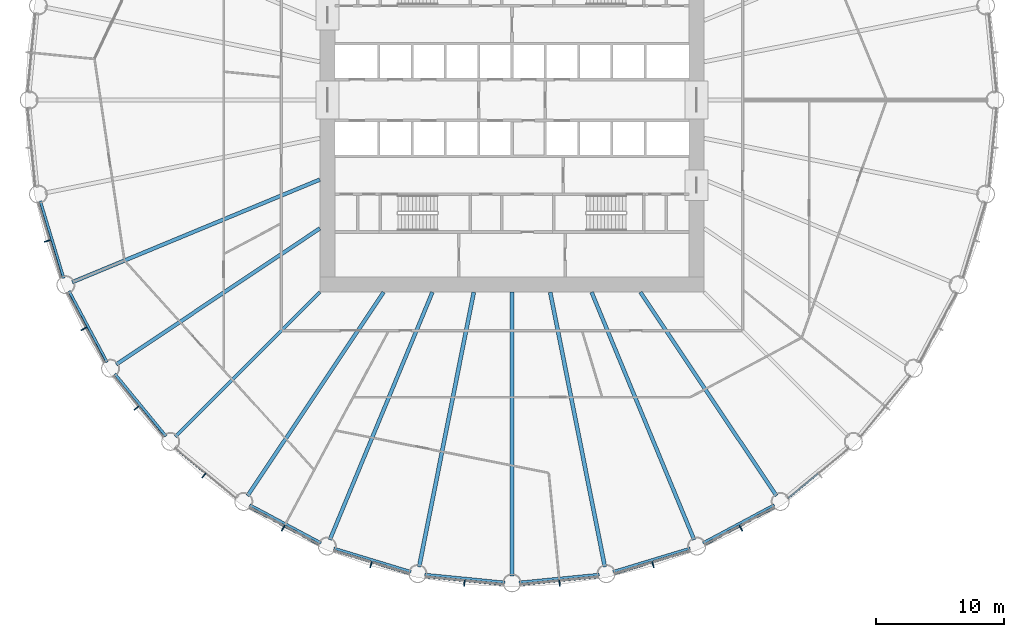
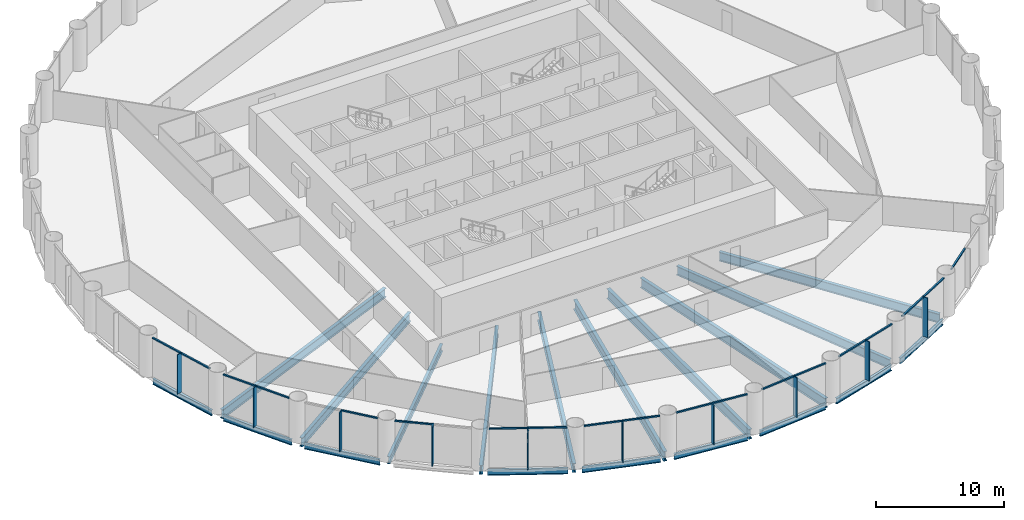
# One storey, part 2 of 15: 29 members, 19 beams, 11 elements without a shape of their own.
"""IFC4 building model written with IfcOpenShell, lengths in metres."""

from ifc_helpers import new_model, si_unit, direction, frame, origin, origin_2d, place, context, subcontext, project, spatial, rectangle, i_section, extrude, material, material_profile, profile_set, type_object, element, aggregate, save


model = new_model("IFC4")

# Units and contexts
model_context = context("Model", 3, precision=1e-05, world=origin(), true_north=direction((0.0, 1.0)))
body_context = subcontext(model_context, "Body", "Model", "MODEL_VIEW")
ifc_project = project(units=[si_unit("LENGTHUNIT", "METRE"), si_unit("AREAUNIT", "SQUARE_METRE"), si_unit("VOLUMEUNIT", "CUBIC_METRE"), si_unit("PLANEANGLEUNIT", "RADIAN"), si_unit("MASSUNIT", "GRAM", prefix="KILO")], contexts=[model_context])

# Site, building, storey
site_placement = place(None, origin())
site = spatial("IfcSite", under=ifc_project, at=site_placement, CompositionType="ELEMENT")
building_placement = place(site_placement, origin())
building = spatial("IfcBuilding", under=site, at=building_placement, Name="Corvane Civic Tower", CompositionType="ELEMENT")
storey_placement = place(building_placement, frame((0.0, 0.0, 57.0)))
storey = spatial("IfcBuildingStorey", under=building, at=storey_placement, Name="L12", CompositionType="ELEMENT", Elevation=57.0)

# Beams
ifc_material_1 = material(Name="Steel ASTM A992 Gr 50", Category="steel")
ifc_material_profile_1 = material_profile(ifc_material_1, i_section(OverallWidth=0.209228515625, OverallDepth=0.533447265625, WebThickness=0.01025390625, FlangeThickness=0.015625, at=origin_2d()), Name="W21X62")
ifc_profile_set_1 = profile_set([ifc_material_profile_1], Name="Steel ASTM A992 Gr 50")
beam_type_1 = type_object("IfcBeamType", Name="EDGE BEAM W21X62", PredefinedType="BEAM", material=ifc_profile_set_1)
for number, where, z_axis, x_axis, name in (
    (1, (20.4599609375, -31.605712890625, -0.566650390625), (-0.881916367906, -0.471405897311, 0.0), (0.471405897311, -0.881916367906, 0.0), "BM-L12-E14"),
    (2, (13.90087890625, -34.989990234375, -0.566650390625), (-0.956943740748, -0.290273452184, 0.0), (0.290273452184, -0.956943740748, 0.0), "BM-L12-E15"),
):
    element("IfcBeam", number, at=place(storey_placement, frame(where, z_axis=z_axis, x_axis=x_axis)), inside=storey, type_object=beam_type_1, Name=name, PredefinedType="BEAM", context=body_context, shape_type="SweptSolid", body=[
        extrude(i_section(OverallWidth=0.209228515625, OverallDepth=0.533447265625, WebThickness=0.01025390625, FlangeThickness=0.015625, at=origin_2d()), origin(), (0.0, 0.0, 1.0), 6.290283203125),
    ])
for number, where, z_axis, x_axis, name in (
    (3, (6.8076171875, -37.029541015625, -0.566650390625), (-0.995186682089, -0.097997284622, 0.0), (0.097997284622, -0.995186682089, 0.0), "BM-L12-E16"),
    (4, (-0.54736328125, -37.64599609375, -0.566650390625), (-0.995186682089, 0.097997284622, 0.0), (-0.097997284622, -0.995186682089, 0.0), "BM-L12-E17"),
):
    element("IfcBeam", number, at=place(storey_placement, frame(where, z_axis=z_axis, x_axis=x_axis)), inside=storey, type_object=beam_type_1, Name=name, PredefinedType="BEAM", context=body_context, shape_type="SweptSolid", body=[
        extrude(i_section(OverallWidth=0.209228515625, OverallDepth=0.533447265625, WebThickness=0.01025390625, FlangeThickness=0.015625, at=origin_2d()), origin(), (0.0, 0.0, 1.0), 6.29052734375),
    ])
for number, where, z_axis, x_axis, name in (
    (5, (-7.88134765625, -36.81591796875, -0.566650390625), (-0.956943740748, 0.290273452184, 0.0), (-0.290273452184, -0.956943740748, 0.0), "BM-L12-E18"),
    (6, (-14.912353515625, -34.571044921875, -0.566650390625), (-0.881916367906, 0.471405897311, 0.0), (-0.471405897311, -0.881916367906, 0.0), "BM-L12-E19"),
):
    element("IfcBeam", number, at=place(storey_placement, frame(where, z_axis=z_axis, x_axis=x_axis)), inside=storey, type_object=beam_type_1, Name=name, PredefinedType="BEAM", context=body_context, shape_type="SweptSolid", body=[
        extrude(i_section(OverallWidth=0.209228515625, OverallDepth=0.533447265625, WebThickness=0.01025390625, FlangeThickness=0.015625, at=origin_2d()), origin(), (0.0, 0.0, 1.0), 6.290283203125),
    ])
beam_1_placement = place(storey_placement, frame((-27.0068359375, -26.23291015625, -0.566650390625), z_axis=(-0.634386787141, 0.773015785286, 0.0), x_axis=(-0.773015785286, -0.634386787141, 0.0)))
element("IfcBeam", 7, at=beam_1_placement, inside=storey, type_object=beam_type_1, Name="BM-L12-E21", PredefinedType="BEAM", context=body_context, shape_type="SweptSolid", body=[
    extrude(i_section(OverallWidth=0.209228515625, OverallDepth=0.533447265625, WebThickness=0.01025390625, FlangeThickness=0.015625, at=origin_2d()), origin(), (0.0, 0.0, 1.0), 6.290771484375),
])
for number, where, z_axis, x_axis, name in (
    (8, (-31.605712890625, -20.4599609375, -0.566650390625), (-0.471405897311, 0.881916367906, 0.0), (-0.881916367906, -0.471405897311, 0.0), "BM-L12-E22"),
    (9, (-34.989990234375, -13.90087890625, -0.566650390625), (-0.290273452184, 0.956943740748, 0.0), (-0.956943740748, -0.290273452184, 0.0), "BM-L12-E23"),
):
    element("IfcBeam", number, at=place(storey_placement, frame(where, z_axis=z_axis, x_axis=x_axis)), inside=storey, type_object=beam_type_1, Name=name, PredefinedType="BEAM", context=body_context, shape_type="SweptSolid", body=[
        extrude(i_section(OverallWidth=0.209228515625, OverallDepth=0.533447265625, WebThickness=0.01025390625, FlangeThickness=0.015625, at=origin_2d()), origin(), (0.0, 0.0, 1.0), 6.290283203125),
    ])
ifc_material_2 = material(Name="Steel ASTM A992 Gr 50", Category="steel")
ifc_material_profile_2 = material_profile(ifc_material_2, i_section(OverallWidth=0.256591796875, OverallDepth=0.693359375, WebThickness=0.014404296875, FlangeThickness=0.023681640625, at=origin_2d()), Name="W27X114")
ifc_profile_set_2 = profile_set([ifc_material_profile_2], Name="Steel ASTM A992 Gr 50")
beam_type_2 = type_object("IfcBeamType", Name="FLOOR GIRDER W27X114", PredefinedType="BEAM", material=ifc_profile_set_2)
beam_2_placement = place(storey_placement, frame((-15.0, -15.0, -0.646728515625), z_axis=(-0.707106781187, -0.707106781187, 0.0), x_axis=(0.707106781187, -0.707106781187, 0.0)))
element("IfcBeam", 10, at=beam_2_placement, inside=storey, type_object=beam_type_2, Name="BM-L12-G21", PredefinedType="BEAM", context=body_context, shape_type="SweptSolid", body=[
    extrude(i_section(OverallWidth=0.256591796875, OverallDepth=0.693359375, WebThickness=0.014404296875, FlangeThickness=0.023681640625, at=origin_2d()), origin(), (0.0, 0.0, 1.0), 15.936767578125),
])
ifc_material_3 = material(Name="Steel ASTM A992 Gr 50", Category="steel")
ifc_material_profile_3 = material_profile(ifc_material_3, i_section(OverallWidth=0.2919921875, OverallDepth=0.8583984375, WebThickness=0.01708984375, FlangeThickness=0.031005859375, at=origin_2d()), Name="W33X169")
ifc_profile_set_3 = profile_set([ifc_material_profile_3], Name="Steel ASTM A992 Gr 50")
beam_type_3 = type_object("IfcBeamType", Name="FLOOR GIRDER W33X169", PredefinedType="BEAM", material=ifc_profile_set_3)
beam_3_placement = place(storey_placement, frame((10.022705078125, -15.0, -0.729248046875), z_axis=(0.555566681385, -0.831471985418, 0.0), x_axis=(0.831471985418, 0.555566681385, 0.0)))
element("IfcBeam", 11, at=beam_3_placement, inside=storey, type_object=beam_type_3, Name="BM-L12-G14", PredefinedType="BEAM", context=body_context, shape_type="SweptSolid", body=[
    extrude(i_section(OverallWidth=0.2919921875, OverallDepth=0.8583984375, WebThickness=0.01708984375, FlangeThickness=0.031005859375, at=origin_2d()), origin(), (0.0, 0.0, 1.0), 19.109619140625),
])
for number, where, z_axis, x_axis, name in (
    (12, (6.213134765625, -15.0, -0.729248046875), (0.382692360381, -0.923875834355, 0.0), (0.923875834355, 0.382692360381, 0.0), "BM-L12-G15"),
    (13, (-6.213134765625, -15.0, -0.729248046875), (-0.382692360381, -0.923875834355, 0.0), (0.923875834355, -0.382692360381, 0.0), "BM-L12-G19"),
):
    element("IfcBeam", number, at=place(storey_placement, frame(where, z_axis=z_axis, x_axis=x_axis)), inside=storey, type_object=beam_type_3, Name=name, PredefinedType="BEAM", context=body_context, shape_type="SweptSolid", body=[
        extrude(i_section(OverallWidth=0.2919921875, OverallDepth=0.8583984375, WebThickness=0.01708984375, FlangeThickness=0.031005859375, at=origin_2d()), origin(), (0.0, 0.0, 1.0), 20.9140625),
    ])
for number, where, z_axis, x_axis, name in (
    (14, (-10.022705078125, -15.0, -0.729248046875), (-0.555566681385, -0.831471985418, 0.0), (0.831471985418, -0.555566681385, 0.0), "BM-L12-G20"),
    (15, (-15.0, -10.022705078125, -0.729248046875), (-0.831471985418, -0.555566681385, 0.0), (0.555566681385, -0.831471985418, 0.0), "BM-L12-G22"),
):
    element("IfcBeam", number, at=place(storey_placement, frame(where, z_axis=z_axis, x_axis=x_axis)), inside=storey, type_object=beam_type_3, Name=name, PredefinedType="BEAM", context=body_context, shape_type="SweptSolid", body=[
        extrude(i_section(OverallWidth=0.2919921875, OverallDepth=0.8583984375, WebThickness=0.01708984375, FlangeThickness=0.031005859375, at=origin_2d()), origin(), (0.0, 0.0, 1.0), 19.109619140625),
    ])
beam_4_placement = place(storey_placement, frame((-15.0, -6.213134765625, -0.729248046875), z_axis=(-0.923875834355, -0.382692360381, 0.0), x_axis=(0.382692360381, -0.923875834355, 0.0)))
element("IfcBeam", 16, at=beam_4_placement, inside=storey, type_object=beam_type_3, Name="BM-L12-G23", PredefinedType="BEAM", context=body_context, shape_type="SweptSolid", body=[
    extrude(i_section(OverallWidth=0.2919921875, OverallDepth=0.8583984375, WebThickness=0.01708984375, FlangeThickness=0.031005859375, at=origin_2d()), origin(), (0.0, 0.0, 1.0), 20.9140625),
])
ifc_material_4 = material(Name="Steel ASTM A992 Gr 50", Category="steel")
ifc_material_profile_4 = material_profile(ifc_material_4, i_section(OverallWidth=0.307373046875, OverallDepth=0.927001953125, WebThickness=0.01953125, FlangeThickness=0.031982421875, at=origin_2d()), Name="W36X194")
ifc_profile_set_4 = profile_set([ifc_material_profile_4], Name="Steel ASTM A992 Gr 50")
beam_type_4 = type_object("IfcBeamType", Name="FLOOR GIRDER W36X194", PredefinedType="BEAM", material=ifc_profile_set_4)
beam_5_placement = place(storey_placement, frame((2.983642578125, -15.0, -0.763671875), z_axis=(0.195089219638, -0.980785499679, 0.0), x_axis=(0.980785499679, 0.195089219638, 0.0)))
element("IfcBeam", 17, at=beam_5_placement, inside=storey, type_object=beam_type_4, Name="BM-L12-G16", PredefinedType="BEAM", context=body_context, shape_type="SweptSolid", body=[
    extrude(i_section(OverallWidth=0.307373046875, OverallDepth=0.927001953125, WebThickness=0.01953125, FlangeThickness=0.031982421875, at=origin_2d()), origin(), (0.0, 0.0, 1.0), 21.856201171875),
])
beam_6_placement = place(storey_placement, frame((0.0, -15.0, -0.763671875), z_axis=(0.0, -1.0, 0.0), x_axis=(1.0, 0.0, 0.0)))
element("IfcBeam", 18, at=beam_6_placement, inside=storey, type_object=beam_type_4, Name="BM-L12-G17", PredefinedType="BEAM", context=body_context, shape_type="SweptSolid", body=[
    extrude(i_section(OverallWidth=0.307373046875, OverallDepth=0.927001953125, WebThickness=0.01953125, FlangeThickness=0.031982421875, at=origin_2d()), origin(), (0.0, 0.0, 1.0), 22.14990234375),
])
beam_7_placement = place(storey_placement, frame((-2.983642578125, -15.0, -0.763671875), z_axis=(-0.195089219638, -0.980785499679, 0.0), x_axis=(0.980785499679, -0.195089219638, 0.0)))
element("IfcBeam", 19, at=beam_7_placement, inside=storey, type_object=beam_type_4, Name="BM-L12-G18", PredefinedType="BEAM", context=body_context, shape_type="SweptSolid", body=[
    extrude(i_section(OverallWidth=0.307373046875, OverallDepth=0.927001953125, WebThickness=0.01953125, FlangeThickness=0.031982421875, at=origin_2d()), origin(), (0.0, 0.0, 1.0), 21.856201171875),
])

# Curtain wall, member
ifc_material_5 = material(Name="Anodised aluminium bronze", Category="aluminium")
curtain_wall_type = type_object("IfcCurtainWallType", Name="TOWER CW-T1 STICK CURTAIN WALL", PredefinedType="NOTDEFINED", material=ifc_material_5)
curtain_wall_1_placement = place(storey_placement, origin())
curtain_wall_1 = element("IfcCurtainWall", 20, at=curtain_wall_1_placement, inside=storey, type_object=curtain_wall_type, Name="Curtain wall CW-T1 L12 bay 13", PredefinedType="NOTDEFINED")
ifc_material_6 = material(Name="Anodised aluminium bronze", Category="aluminium")
ifc_material_profile_5 = material_profile(ifc_material_6, rectangle(XDim=0.139892578125, YDim=0.1201171875, at=origin_2d()), Name="TOWER CW-T1 TRANSOM 140x120")
ifc_profile_set_5 = profile_set([ifc_material_profile_5], Name="Anodised aluminium bronze")
member_type_1 = type_object("IfcMemberType", Name="TOWER CW-T1 TRANSOM 140x120", PredefinedType="USERDEFINED", material=ifc_profile_set_5)
member_1_placement = place(storey_placement, frame((23.88427734375, -29.166015625, 3.68994140625), z_axis=(-0.773041738279, -0.634355161466, 0.0), x_axis=(0.634355161466, -0.773041738279, 0.0)))
member_1 = element("IfcMember", 21, at=member_1_placement, type_object=member_type_1, Name="Transom CW-T1 L12 13.2", ObjectType="TRANSOM", PredefinedType="USERDEFINED", context=body_context, shape_type="SweptSolid", body=[
    extrude(rectangle(XDim=0.139892578125, YDim=0.1201171875, at=origin_2d()), origin(), (0.0, 0.0, 1.0), 3.008544921875),
])
aggregate(curtain_wall_1, [member_1])

# Curtain wall, members
curtain_wall_2_placement = place(storey_placement, origin())
curtain_wall_2 = element("IfcCurtainWall", 22, at=curtain_wall_2_placement, inside=storey, type_object=curtain_wall_type, Name="Curtain wall CW-T1 L12 bay 14", PredefinedType="NOTDEFINED")
member_2_placement = place(storey_placement, frame((20.459228515625, -31.809326171875, 3.68994140625), z_axis=(-0.881923525532, -0.471392506424, 0.0), x_axis=(0.471392506424, -0.881923525532, 0.0)))
member_2 = element("IfcMember", 23, at=member_2_placement, type_object=member_type_1, Name="Transom CW-T1 L12 14.1", ObjectType="TRANSOM", PredefinedType="USERDEFINED", context=body_context, shape_type="SweptSolid", body=[
    extrude(rectangle(XDim=0.139892578125, YDim=0.1201171875, at=origin_2d()), origin(), (0.0, 0.0, 1.0), 3.008544921875),
])
member_3_placement = place(storey_placement, frame((17.7353515625, -33.26513671875, 3.68994140625), z_axis=(-0.881923525532, -0.471392506424, 0.0), x_axis=(0.471392506424, -0.881923525532, 0.0)))
member_3 = element("IfcMember", 24, at=member_3_placement, type_object=member_type_1, Name="Transom CW-T1 L12 14.2", ObjectType="TRANSOM", PredefinedType="USERDEFINED", context=body_context, shape_type="SweptSolid", body=[
    extrude(rectangle(XDim=0.139892578125, YDim=0.1201171875, at=origin_2d()), origin(), (0.0, 0.0, 1.0), 3.008544921875),
])

curtain_wall_3_placement = place(storey_placement, origin())
curtain_wall_3 = element("IfcCurtainWall", 25, at=curtain_wall_3_placement, inside=storey, type_object=curtain_wall_type, Name="Curtain wall CW-T1 L12 bay 15", PredefinedType="NOTDEFINED")
member_4_placement = place(storey_placement, frame((13.8603515625, -35.189453125, 3.68994140625), z_axis=(-0.956941780555, -0.290279914268, 0.0), x_axis=(0.290279914268, -0.956941780555, 0.0)))
member_4 = element("IfcMember", 26, at=member_4_placement, type_object=member_type_1, Name="Transom CW-T1 L12 15.1", ObjectType="TRANSOM", PredefinedType="USERDEFINED", context=body_context, shape_type="SweptSolid", body=[
    extrude(rectangle(XDim=0.139892578125, YDim=0.1201171875, at=origin_2d()), origin(), (0.0, 0.0, 1.0), 3.008544921875),
])
member_5_placement = place(storey_placement, frame((10.90478515625, -36.0859375, 3.68994140625), z_axis=(-0.956941780555, -0.290279914268, 0.0), x_axis=(0.290279914268, -0.956941780555, 0.0)))
member_5 = element("IfcMember", 27, at=member_5_placement, type_object=member_type_1, Name="Transom CW-T1 L12 15.2", ObjectType="TRANSOM", PredefinedType="USERDEFINED", context=body_context, shape_type="SweptSolid", body=[
    extrude(rectangle(XDim=0.139892578125, YDim=0.1201171875, at=origin_2d()), origin(), (0.0, 0.0, 1.0), 3.008544921875),
])

curtain_wall_4_placement = place(storey_placement, origin())
curtain_wall_4 = element("IfcCurtainWall", 28, at=curtain_wall_4_placement, inside=storey, type_object=curtain_wall_type, Name="Curtain wall CW-T1 L12 bay 16", PredefinedType="NOTDEFINED")
member_6_placement = place(storey_placement, frame((6.72900390625, -37.21728515625, 3.68994140625), z_axis=(-0.995191836722, -0.097944923917, 0.0), x_axis=(0.097944923917, -0.995191836722, 0.0)))
member_6 = element("IfcMember", 29, at=member_6_placement, type_object=member_type_1, Name="Transom CW-T1 L12 16.1", ObjectType="TRANSOM", PredefinedType="USERDEFINED", context=body_context, shape_type="SweptSolid", body=[
    extrude(rectangle(XDim=0.139892578125, YDim=0.1201171875, at=origin_2d()), origin(), (0.0, 0.0, 1.0), 3.008544921875),
])
member_7_placement = place(storey_placement, frame((3.6552734375, -37.52001953125, 3.68994140625), z_axis=(-0.995191836722, -0.097944923917, 0.0), x_axis=(0.097944923917, -0.995191836722, 0.0)))
member_7 = element("IfcMember", 30, at=member_7_placement, type_object=member_type_1, Name="Transom CW-T1 L12 16.2", ObjectType="TRANSOM", PredefinedType="USERDEFINED", context=body_context, shape_type="SweptSolid", body=[
    extrude(rectangle(XDim=0.139892578125, YDim=0.1201171875, at=origin_2d()), origin(), (0.0, 0.0, 1.0), 3.008544921875),
])

curtain_wall_5_placement = place(storey_placement, origin())
curtain_wall_5 = element("IfcCurtainWall", 31, at=curtain_wall_5_placement, inside=storey, type_object=curtain_wall_type, Name="Curtain wall CW-T1 L12 bay 17", PredefinedType="NOTDEFINED")
member_8_placement = place(storey_placement, frame((-0.6611328125, -37.814697265625, 3.68994140625), z_axis=(-0.995191836722, 0.097944923917, 0.0), x_axis=(-0.097944923917, -0.995191836722, 0.0)))
member_8 = element("IfcMember", 32, at=member_8_placement, type_object=member_type_1, Name="Transom CW-T1 L12 17.1", ObjectType="TRANSOM", PredefinedType="USERDEFINED", context=body_context, shape_type="SweptSolid", body=[
    extrude(rectangle(XDim=0.139892578125, YDim=0.1201171875, at=origin_2d()), origin(), (0.0, 0.0, 1.0), 3.008544921875),
])
member_9_placement = place(storey_placement, frame((-3.73486328125, -37.511962890625, 3.68994140625), z_axis=(-0.995191836722, 0.097944923917, 0.0), x_axis=(-0.097944923917, -0.995191836722, 0.0)))
member_9 = element("IfcMember", 33, at=member_9_placement, type_object=member_type_1, Name="Transom CW-T1 L12 17.2", ObjectType="TRANSOM", PredefinedType="USERDEFINED", context=body_context, shape_type="SweptSolid", body=[
    extrude(rectangle(XDim=0.139892578125, YDim=0.1201171875, at=origin_2d()), origin(), (0.0, 0.0, 1.0), 3.008544921875),
])

curtain_wall_6_placement = place(storey_placement, origin())
curtain_wall_6 = element("IfcCurtainWall", 34, at=curtain_wall_6_placement, inside=storey, type_object=curtain_wall_type, Name="Curtain wall CW-T1 L12 bay 18", PredefinedType="NOTDEFINED")
member_10_placement = place(storey_placement, frame((-8.02587890625, -36.959228515625, 3.68994140625), z_axis=(-0.956941780555, 0.290279914268, 0.0), x_axis=(-0.290279914268, -0.956941780555, 0.0)))
member_10 = element("IfcMember", 35, at=member_10_placement, type_object=member_type_1, Name="Transom CW-T1 L12 18.1", ObjectType="TRANSOM", PredefinedType="USERDEFINED", context=body_context, shape_type="SweptSolid", body=[
    extrude(rectangle(XDim=0.139892578125, YDim=0.1201171875, at=origin_2d()), origin(), (0.0, 0.0, 1.0), 3.008544921875),
])
member_11_placement = place(storey_placement, frame((-10.9814453125, -36.062744140625, 3.68994140625), z_axis=(-0.956941780555, 0.290279914268, 0.0), x_axis=(-0.290279914268, -0.956941780555, 0.0)))
member_11 = element("IfcMember", 36, at=member_11_placement, type_object=member_type_1, Name="Transom CW-T1 L12 18.2", ObjectType="TRANSOM", PredefinedType="USERDEFINED", context=body_context, shape_type="SweptSolid", body=[
    extrude(rectangle(XDim=0.139892578125, YDim=0.1201171875, at=origin_2d()), origin(), (0.0, 0.0, 1.0), 3.008544921875),
])

curtain_wall_7_placement = place(storey_placement, origin())
curtain_wall_7 = element("IfcCurtainWall", 37, at=curtain_wall_7_placement, inside=storey, type_object=curtain_wall_type, Name="Curtain wall CW-T1 L12 bay 19", PredefinedType="NOTDEFINED")
member_12_placement = place(storey_placement, frame((-15.08203125, -34.683349609375, 3.68994140625), z_axis=(-0.881923525532, 0.471392506424, 0.0), x_axis=(-0.471392506424, -0.881923525532, 0.0)))
member_12 = element("IfcMember", 38, at=member_12_placement, type_object=member_type_1, Name="Transom CW-T1 L12 19.1", ObjectType="TRANSOM", PredefinedType="USERDEFINED", context=body_context, shape_type="SweptSolid", body=[
    extrude(rectangle(XDim=0.139892578125, YDim=0.1201171875, at=origin_2d()), origin(), (0.0, 0.0, 1.0), 3.008544921875),
])
member_13_placement = place(storey_placement, frame((-17.805908203125, -33.2275390625, 3.68994140625), z_axis=(-0.881923525532, 0.471392506424, 0.0), x_axis=(-0.471392506424, -0.881923525532, 0.0)))
member_13 = element("IfcMember", 39, at=member_13_placement, type_object=member_type_1, Name="Transom CW-T1 L12 19.2", ObjectType="TRANSOM", PredefinedType="USERDEFINED", context=body_context, shape_type="SweptSolid", body=[
    extrude(rectangle(XDim=0.139892578125, YDim=0.1201171875, at=origin_2d()), origin(), (0.0, 0.0, 1.0), 3.008544921875),
])

# Curtain wall, member
curtain_wall_8_placement = place(storey_placement, origin())
curtain_wall_8 = element("IfcCurtainWall", 40, at=curtain_wall_8_placement, inside=storey, type_object=curtain_wall_type, Name="Curtain wall CW-T1 L12 bay 20", PredefinedType="NOTDEFINED")
member_14_placement = place(storey_placement, frame((-23.946044921875, -29.115234375, 3.68994140625), z_axis=(-0.773001943873, 0.634403652865, 0.0), x_axis=(-0.634403652865, -0.773001943873, 0.0)))
member_14 = element("IfcMember", 41, at=member_14_placement, type_object=member_type_1, Name="Transom CW-T1 L12 20.2", ObjectType="TRANSOM", PredefinedType="USERDEFINED", context=body_context, shape_type="SweptSolid", body=[
    extrude(rectangle(XDim=0.139892578125, YDim=0.1201171875, at=origin_2d()), origin(), (0.0, 0.0, 1.0), 3.008544921875),
])

curtain_wall_9_placement = place(storey_placement, origin())
curtain_wall_9 = element("IfcCurtainWall", 42, at=curtain_wall_9_placement, inside=storey, type_object=curtain_wall_type, Name="Curtain wall CW-T1 L12 bay 21", PredefinedType="NOTDEFINED")
member_15_placement = place(storey_placement, frame((-27.20654296875, -26.271728515625, 3.68994140625), z_axis=(-0.634403652865, 0.773001943873, 0.0), x_axis=(-0.773001943873, -0.634403652865, 0.0)))
member_15 = element("IfcMember", 43, at=member_15_placement, type_object=member_type_1, Name="Transom CW-T1 L12 21.1", ObjectType="TRANSOM", PredefinedType="USERDEFINED", context=body_context, shape_type="SweptSolid", body=[
    extrude(rectangle(XDim=0.139892578125, YDim=0.1201171875, at=origin_2d()), origin(), (0.0, 0.0, 1.0), 3.008544921875),
])

# Curtain wall, members
curtain_wall_10_placement = place(storey_placement, origin())
curtain_wall_10 = element("IfcCurtainWall", 44, at=curtain_wall_10_placement, inside=storey, type_object=curtain_wall_type, Name="Curtain wall CW-T1 L12 bay 22", PredefinedType="NOTDEFINED")
member_16_placement = place(storey_placement, frame((-31.809326171875, -20.459228515625, 3.68994140625), z_axis=(-0.471392506424, 0.881923525532, 0.0), x_axis=(-0.881923525532, -0.471392506424, 0.0)))
member_16 = element("IfcMember", 45, at=member_16_placement, type_object=member_type_1, Name="Transom CW-T1 L12 22.1", ObjectType="TRANSOM", PredefinedType="USERDEFINED", context=body_context, shape_type="SweptSolid", body=[
    extrude(rectangle(XDim=0.139892578125, YDim=0.1201171875, at=origin_2d()), origin(), (0.0, 0.0, 1.0), 3.008544921875),
])
member_17_placement = place(storey_placement, frame((-33.26513671875, -17.7353515625, 3.68994140625), z_axis=(-0.471392506424, 0.881923525532, 0.0), x_axis=(-0.881923525532, -0.471392506424, 0.0)))
member_17 = element("IfcMember", 46, at=member_17_placement, type_object=member_type_1, Name="Transom CW-T1 L12 22.2", ObjectType="TRANSOM", PredefinedType="USERDEFINED", context=body_context, shape_type="SweptSolid", body=[
    extrude(rectangle(XDim=0.139892578125, YDim=0.1201171875, at=origin_2d()), origin(), (0.0, 0.0, 1.0), 3.008544921875),
])

curtain_wall_11_placement = place(storey_placement, origin())
curtain_wall_11 = element("IfcCurtainWall", 47, at=curtain_wall_11_placement, inside=storey, type_object=curtain_wall_type, Name="Curtain wall CW-T1 L12 bay 23", PredefinedType="NOTDEFINED")
member_18_placement = place(storey_placement, frame((-35.189453125, -13.8603515625, 3.68994140625), z_axis=(-0.290279914268, 0.956941780555, 0.0), x_axis=(-0.956941780555, -0.290279914268, 0.0)))
member_18 = element("IfcMember", 48, at=member_18_placement, type_object=member_type_1, Name="Transom CW-T1 L12 23.1", ObjectType="TRANSOM", PredefinedType="USERDEFINED", context=body_context, shape_type="SweptSolid", body=[
    extrude(rectangle(XDim=0.139892578125, YDim=0.1201171875, at=origin_2d()), origin(), (0.0, 0.0, 1.0), 3.008544921875),
])
member_19_placement = place(storey_placement, frame((-36.0859375, -10.90478515625, 3.68994140625), z_axis=(-0.290279914268, 0.956941780555, 0.0), x_axis=(-0.956941780555, -0.290279914268, 0.0)))
member_19 = element("IfcMember", 49, at=member_19_placement, type_object=member_type_1, Name="Transom CW-T1 L12 23.2", ObjectType="TRANSOM", PredefinedType="USERDEFINED", context=body_context, shape_type="SweptSolid", body=[
    extrude(rectangle(XDim=0.139892578125, YDim=0.1201171875, at=origin_2d()), origin(), (0.0, 0.0, 1.0), 3.008544921875),
])

# Member
ifc_material_7 = material(Name="Anodised aluminium bronze", Category="aluminium")
ifc_material_profile_6 = material_profile(ifc_material_7, rectangle(XDim=0.080078125, YDim=0.5, at=origin_2d()), Name="TOWER FIN MULLION 80x500 BRONZE")
ifc_profile_set_6 = profile_set([ifc_material_profile_6], Name="Anodised aluminium bronze")
member_type_2 = type_object("IfcMemberType", Name="TOWER FIN MULLION 80x500 BRONZE", PredefinedType="MULLION", material=ifc_profile_set_6)
member_20_placement = place(storey_placement, frame((17.86474609375, -33.422607421875, 0.0), z_axis=(0.0, 0.0, 1.0), x_axis=(-0.881917528864, -0.471403725359, 0.0)))
member_20 = element("IfcMember", 50, at=member_20_placement, type_object=member_type_2, Name="Fin mullion 14 L12", PredefinedType="MULLION", context=body_context, shape_type="SweptSolid", body=[
    extrude(rectangle(XDim=0.080078125, YDim=0.5, at=origin_2d()), origin(), (0.0, 0.0, 1.0), 3.75),
])

aggregate(curtain_wall_2, [member_20, member_2, member_3])

member_21_placement = place(storey_placement, frame((11.001220703125, -36.265625, 0.0), z_axis=(0.0, 0.0, 1.0), x_axis=(-0.956942240606, -0.290278397654, 0.0)))
member_21 = element("IfcMember", 51, at=member_21_placement, type_object=member_type_2, Name="Fin mullion 15 L12", PredefinedType="MULLION", context=body_context, shape_type="SweptSolid", body=[
    extrude(rectangle(XDim=0.080078125, YDim=0.5, at=origin_2d()), origin(), (0.0, 0.0, 1.0), 3.75),
])

aggregate(curtain_wall_3, [member_21, member_4, member_5])

member_22_placement = place(storey_placement, frame((3.714599609375, -37.715087890625, 0.0), z_axis=(0.0, 0.0, 1.0), x_axis=(-0.995185800248, -0.098006239521, 0.0)))
member_22 = element("IfcMember", 52, at=member_22_placement, type_object=member_type_2, Name="Fin mullion 16 L12", PredefinedType="MULLION", context=body_context, shape_type="SweptSolid", body=[
    extrude(rectangle(XDim=0.080078125, YDim=0.5, at=origin_2d()), origin(), (0.0, 0.0, 1.0), 3.75),
])

aggregate(curtain_wall_4, [member_22, member_6, member_7])

member_23_placement = place(storey_placement, frame((-3.714599609375, -37.715087890625, 0.0), z_axis=(0.0, 0.0, 1.0), x_axis=(-0.995185800248, 0.098006239521, 0.0)))
member_23 = element("IfcMember", 53, at=member_23_placement, type_object=member_type_2, Name="Fin mullion 17 L12", PredefinedType="MULLION", context=body_context, shape_type="SweptSolid", body=[
    extrude(rectangle(XDim=0.080078125, YDim=0.5, at=origin_2d()), origin(), (0.0, 0.0, 1.0), 3.75),
])

aggregate(curtain_wall_5, [member_23, member_8, member_9])

member_24_placement = place(storey_placement, frame((-11.001220703125, -36.265625, 0.0), z_axis=(0.0, 0.0, 1.0), x_axis=(-0.956942240606, 0.290278397654, 0.0)))
member_24 = element("IfcMember", 54, at=member_24_placement, type_object=member_type_2, Name="Fin mullion 18 L12", PredefinedType="MULLION", context=body_context, shape_type="SweptSolid", body=[
    extrude(rectangle(XDim=0.080078125, YDim=0.5, at=origin_2d()), origin(), (0.0, 0.0, 1.0), 3.75),
])

aggregate(curtain_wall_6, [member_24, member_10, member_11])

member_25_placement = place(storey_placement, frame((-17.86474609375, -33.422607421875, 0.0), z_axis=(0.0, 0.0, 1.0), x_axis=(-0.881917528864, 0.471403725359, 0.0)))
member_25 = element("IfcMember", 55, at=member_25_placement, type_object=member_type_2, Name="Fin mullion 19 L12", PredefinedType="MULLION", context=body_context, shape_type="SweptSolid", body=[
    extrude(rectangle(XDim=0.080078125, YDim=0.5, at=origin_2d()), origin(), (0.0, 0.0, 1.0), 3.75),
])

aggregate(curtain_wall_7, [member_25, member_12, member_13])

member_26_placement = place(storey_placement, frame((-24.0419921875, -29.295166015625, 0.0), z_axis=(0.0, 0.0, 1.0), x_axis=(-0.773007224463, 0.634397218569, 0.0)))
member_26 = element("IfcMember", 56, at=member_26_placement, type_object=member_type_2, Name="Fin mullion 20 L12", PredefinedType="MULLION", context=body_context, shape_type="SweptSolid", body=[
    extrude(rectangle(XDim=0.080078125, YDim=0.5, at=origin_2d()), origin(), (0.0, 0.0, 1.0), 3.75),
])

aggregate(curtain_wall_8, [member_26, member_14])

member_27_placement = place(storey_placement, frame((-29.295166015625, -24.0419921875, 0.0), z_axis=(0.0, 0.0, 1.0), x_axis=(-0.634397218569, 0.773007224463, 0.0)))
member_27 = element("IfcMember", 57, at=member_27_placement, type_object=member_type_2, Name="Fin mullion 21 L12", PredefinedType="MULLION", context=body_context, shape_type="SweptSolid", body=[
    extrude(rectangle(XDim=0.080078125, YDim=0.5, at=origin_2d()), origin(), (0.0, 0.0, 1.0), 3.75),
])

aggregate(curtain_wall_9, [member_27, member_15])

member_28_placement = place(storey_placement, frame((-33.422607421875, -17.86474609375, 0.0), z_axis=(0.0, 0.0, 1.0), x_axis=(-0.471403725359, 0.881917528864, 0.0)))
member_28 = element("IfcMember", 58, at=member_28_placement, type_object=member_type_2, Name="Fin mullion 22 L12", PredefinedType="MULLION", context=body_context, shape_type="SweptSolid", body=[
    extrude(rectangle(XDim=0.080078125, YDim=0.5, at=origin_2d()), origin(), (0.0, 0.0, 1.0), 3.75),
])

aggregate(curtain_wall_10, [member_28, member_16, member_17])

member_29_placement = place(storey_placement, frame((-36.265625, -11.001220703125, 0.0), z_axis=(0.0, 0.0, 1.0), x_axis=(-0.290278397654, 0.956942240606, 0.0)))
member_29 = element("IfcMember", 59, at=member_29_placement, type_object=member_type_2, Name="Fin mullion 23 L12", PredefinedType="MULLION", context=body_context, shape_type="SweptSolid", body=[
    extrude(rectangle(XDim=0.080078125, YDim=0.5, at=origin_2d()), origin(), (0.0, 0.0, 1.0), 3.75),
])

aggregate(curtain_wall_11, [member_29, member_18, member_19])

save(model, "model.ifc")
